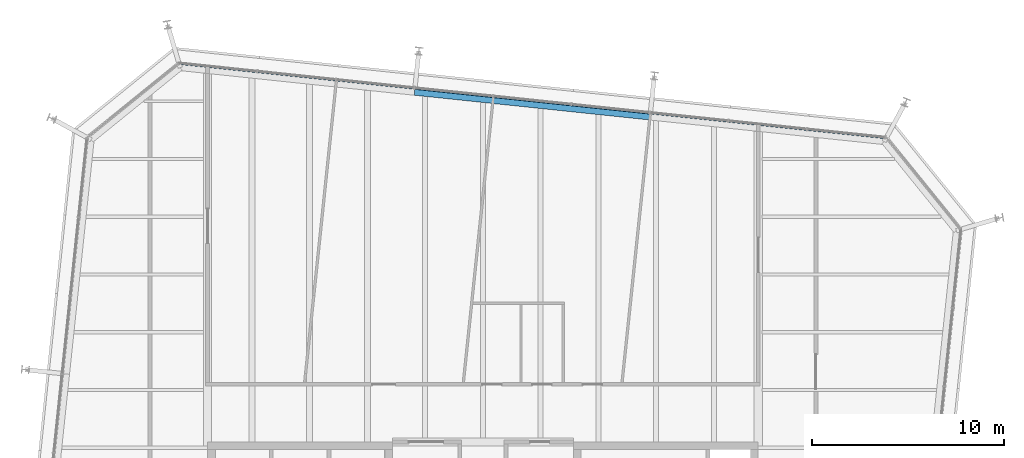
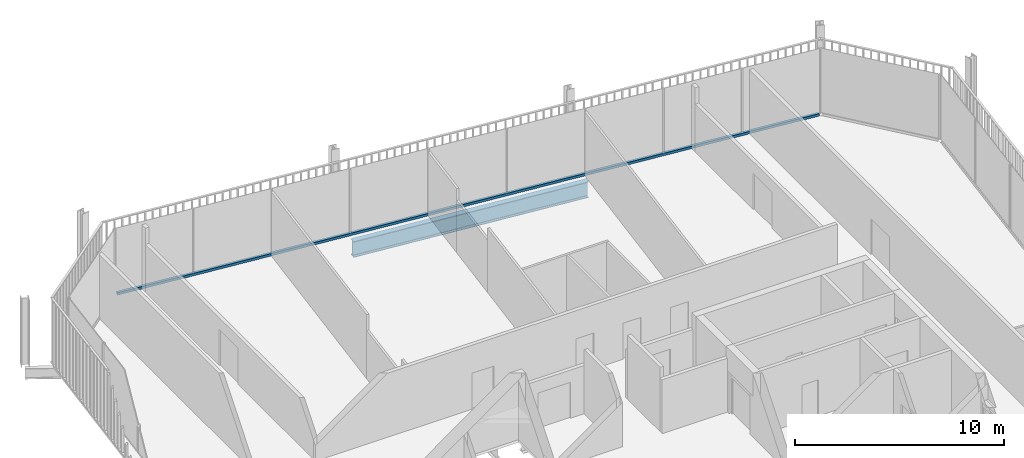
# One storey, part 13 of 20: 1 beam, 1 member, 1 element without a shape of its own.
"""IFC4 building model written with IfcOpenShell, lengths in metres."""

from ifc_helpers import new_model, si_unit, direction, frame, origin, origin_2d, place, context, subcontext, project, spatial, rectangle, i_section, extrude, material, layer, layer_set, material_profile, profile_set, type_object, element, aggregate, save


model = new_model("IFC4")

# Units and contexts
model_context = context("Model", 3, precision=1e-05, world=origin(), true_north=direction((0.0, 1.0)))
body_context = subcontext(model_context, "Body", "Model", "MODEL_VIEW")
ifc_project = project(units=[si_unit("LENGTHUNIT", "METRE"), si_unit("AREAUNIT", "SQUARE_METRE"), si_unit("VOLUMEUNIT", "CUBIC_METRE"), si_unit("PLANEANGLEUNIT", "RADIAN"), si_unit("MASSUNIT", "GRAM", prefix="KILO")], contexts=[model_context])

# Site, building, storey
site_placement = place(None, origin())
site = spatial("IfcSite", under=ifc_project, at=site_placement, CompositionType="ELEMENT")
building_placement = place(site_placement, origin())
building = spatial("IfcBuilding", under=site, at=building_placement, Name="Millrace Tower", CompositionType="ELEMENT")
storey_placement = place(building_placement, frame((0.0, 0.0, 279.89990234375)))
storey = spatial("IfcBuildingStorey", under=building, at=storey_placement, Name="L64", CompositionType="ELEMENT", Elevation=279.89990234375)

# Curtain wall, member
ifc_material_1 = material(Name="Aluminium and glass", Category="aluminium")
ifc_layer = layer(ifc_material_1, 0.14990234375)
ifc_layer_set = layer_set([ifc_layer], Name="Aluminium and glass")
curtain_wall_type = type_object("IfcCurtainWallType", Name="CW-1 office vision curtain wall", PredefinedType="NOTDEFINED", material=ifc_layer_set)
curtain_wall_placement = place(storey_placement, origin())
curtain_wall = element("IfcCurtainWall", 1, at=curtain_wall_placement, inside=storey, type_object=curtain_wall_type, Name="Curtain wall E-F06 L64", PredefinedType="NOTDEFINED")
ifc_material_2 = material(Name="Aluminium", Category="aluminium")
ifc_material_profile_1 = material_profile(ifc_material_2, rectangle(XDim=0.14990234375, YDim=0.139892578125, at=origin_2d()))
ifc_profile_set_1 = profile_set([ifc_material_profile_1], Name="Aluminium")
member_type = type_object("IfcMemberType", Name="CW-1 office vision curtain wall transom", PredefinedType="USERDEFINED", material=ifc_profile_set_1)
member_placement = place(storey_placement, frame((20.83544921875, 25.1318359375, 0.070068359375), z_axis=(-0.994521952886, 0.104527916025, 0.0), x_axis=(-0.104527916025, -0.994521952886, 0.0)))
member = element("IfcMember", 2, at=member_placement, type_object=member_type, Name="CW1 transom E-F06.1", ObjectType="TRANSOM", PredefinedType="USERDEFINED", context=body_context, shape_type="SweptSolid", body=[
    extrude(rectangle(XDim=0.14990234375, YDim=0.139892578125, at=origin_2d()), origin(), (0.0, 0.0, 1.0), 36.699951171875),
])
aggregate(curtain_wall, [member])

# Beam
ifc_material_3 = material(Name="Steel ASTM A992 Grade 50", Category="steel")
ifc_material_profile_2 = material_profile(ifc_material_3, i_section(OverallWidth=0.307373046875, OverallDepth=0.927001953125, WebThickness=0.01953125, FlangeThickness=0.031982421875, FilletRadius=0.01904296875, at=origin_2d()))
ifc_profile_set_2 = profile_set([ifc_material_profile_2], Name="Steel ASTM A992 Grade 50")
beam_type = type_object("IfcBeamType", Name="Ring beam medium span W36x194", PredefinedType="SPANDREL", material=ifc_profile_set_2)
beam_placement = place(storey_placement, frame((-3.554443359375, 27.46533203125, -0.62353515625), z_axis=(0.994522406476, -0.104523600289, 0.0), x_axis=(0.104523600289, 0.994522406476, 0.0)))
element("IfcBeam", 3, at=beam_placement, inside=storey, type_object=beam_type, Name="RNG-E-L64-S1-06", PredefinedType="SPANDREL", context=body_context, shape_type="SweptSolid", body=[
    extrude(i_section(OverallWidth=0.307373046875, OverallDepth=0.927001953125, WebThickness=0.01953125, FlangeThickness=0.031982421875, FilletRadius=0.01904296875, at=origin_2d()), origin(), (0.0, 0.0, 1.0), 12.300048828125),
])

save(model, "model.ifc")
